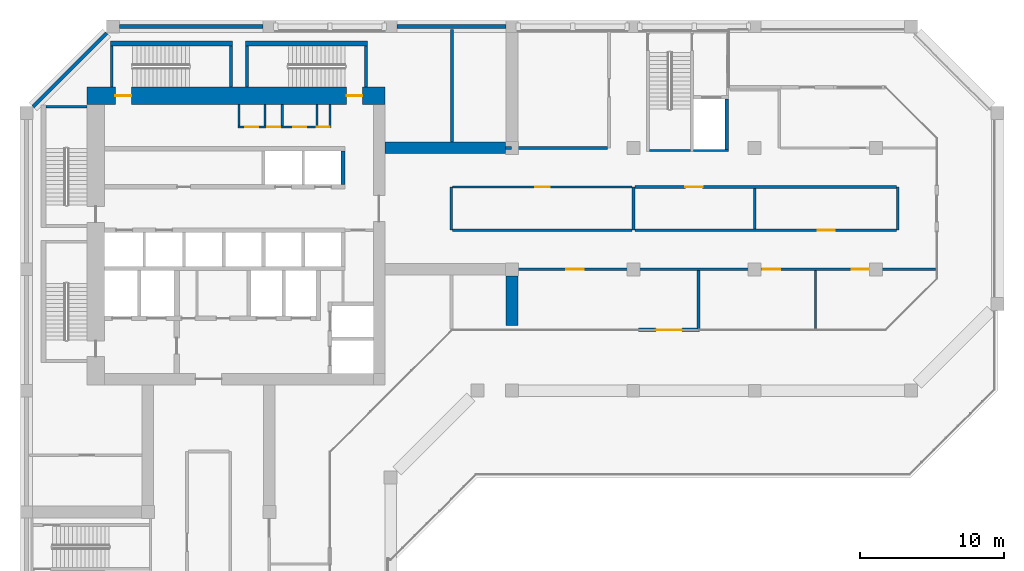
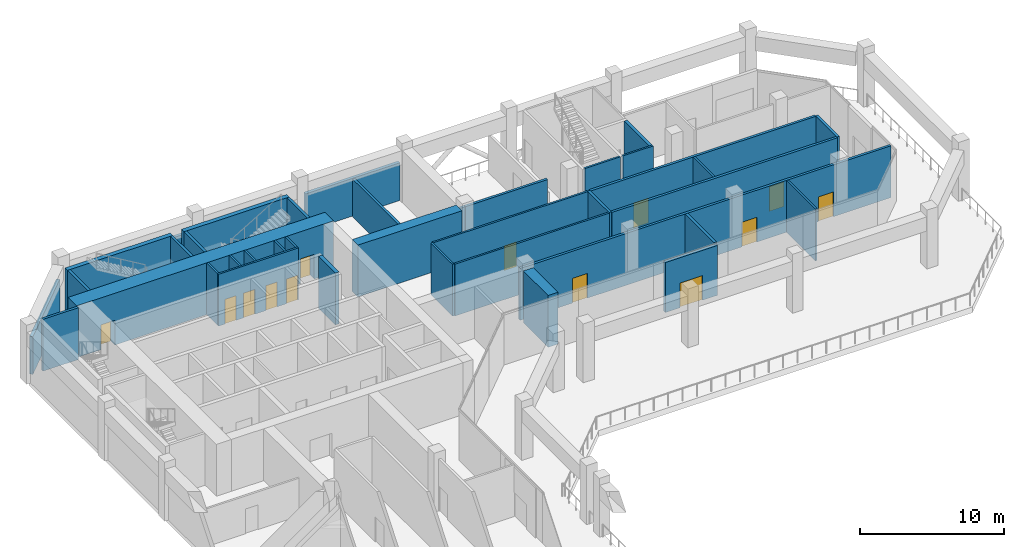
# One storey, part 7 of 14: 38 walls, 13 doors, 13 openings.
"""IFC4 building model written with IfcOpenShell, lengths in metres."""

from ifc_helpers import new_model, si_unit, direction, frame, frame_2d, origin, place, context, subcontext, project, spatial, rectangle, extrude, material, layer, layer_set, type_object, element, fill, save


model = new_model("IFC4")

# Units and contexts
model_context = context("Model", 3, precision=1e-05, world=origin(), true_north=direction((0.0, 1.0)))
body_context = subcontext(model_context, "Body", "Model", "MODEL_VIEW")
ifc_project = project(units=[si_unit("LENGTHUNIT", "METRE"), si_unit("AREAUNIT", "SQUARE_METRE"), si_unit("VOLUMEUNIT", "CUBIC_METRE"), si_unit("PLANEANGLEUNIT", "RADIAN"), si_unit("MASSUNIT", "GRAM", prefix="KILO")], contexts=[model_context])

# Site, building, storey
site_placement = place(None, origin())
site = spatial("IfcSite", under=ifc_project, at=site_placement, CompositionType="ELEMENT")
building_placement = place(site_placement, origin())
building = spatial("IfcBuilding", under=site, at=building_placement, Name="Kawkab Arch Medical Tower", CompositionType="ELEMENT")
storey_placement = place(building_placement, frame((0.0, 0.0, 213.0)))
storey = spatial("IfcBuildingStorey", under=building, at=storey_placement, Name="L49", CompositionType="ELEMENT", Elevation=213.0)

# Walls
ifc_material_1 = material(Name="Concrete C45/55", Category="concrete")
ifc_layer_1 = layer(ifc_material_1, 0.800048828125)
ifc_layer_set_1 = layer_set([ifc_layer_1], Name="Concrete C45/55")
wall_type_1 = type_object("IfcWallType", Name="Belt wall 800 C45/55", PredefinedType="SHEAR", material=ifc_layer_set_1)
wall_1_placement = place(storey_placement, frame((24.800048828125, -8.39990234375, 0.0), z_axis=(0.0, 0.0, 1.0), x_axis=(1.0, 0.0, 0.0)))
element("IfcWall", 1, at=wall_1_placement, inside=storey, type_object=wall_type_1, Name="Belt wall BW-L49-1", PredefinedType="SHEAR", context=body_context, shape_type="SweptSolid", body=[
    extrude(rectangle(XDim=8.349853515625, YDim=0.800048828125, at=frame_2d((4.1748046875, 0.0))), origin(), (0.0, 0.0, 1.0), 4.39990234375),
])
wall_2_placement = place(storey_placement, frame((33.60009765625, -17.25, 0.0), z_axis=(0.0, 0.0, 1.0), x_axis=(0.0, -1.0, 0.0)))
element("IfcWall", 2, at=wall_2_placement, inside=storey, type_object=wall_type_1, Name="Belt wall BW-L49-4", PredefinedType="SHEAR", context=body_context, shape_type="SweptSolid", body=[
    extrude(rectangle(XDim=3.449951171875, YDim=0.800048828125, at=frame_2d((1.72509765625, 0.0))), origin(), (0.0, 0.0, 1.0), 4.39990234375),
])

# Wall, openings, doors
ifc_material_2 = material(Name="Concrete C50/60", Category="concrete")
ifc_layer_2 = layer(ifc_material_2, 1.199951171875)
ifc_layer_set_2 = layer_set([ifc_layer_2], Name="Concrete C50/60")
wall_type_2 = type_object("IfcWallType", Name="Core ring wall 1200 C50/60", PredefinedType="SHEAR", material=ifc_layer_set_2)
wall_3_placement = place(storey_placement, frame((4.199951171875, -4.800048828125, 0.0), z_axis=(0.0, 0.0, 1.0), x_axis=(1.0, 0.0, 0.0)))
wall_3 = element("IfcWall", 3, at=wall_3_placement, inside=storey, type_object=wall_type_2, Name="L49 core wall", PredefinedType="SHEAR", context=body_context, shape_type="SweptSolid", body=[
    extrude(rectangle(XDim=20.60009765625, YDim=1.199951171875, at=frame_2d((10.300048828125, 0.0))), origin(), (0.0, 0.0, 1.0), 4.39990234375),
])
opening_1_placement = place(wall_3_placement, frame((1.949951171875, 0.0, 0.0)))
opening_1 = element("IfcOpeningElement", 4, at=opening_1_placement, cuts=wall_3, Name="Opening SD", PredefinedType="OPENING", context=body_context, shape_type="SweptSolid", body=[
    extrude(rectangle(XDim=1.10009765625, YDim=2.10009765625, at=frame_2d((0.550048828125, 1.050048828125))), frame((0.0, 0.60986328125, 0.0), z_axis=(0.0, -1.0, 0.0), x_axis=(1.0, 0.0, 0.0)), (0.0, 0.0, 1.0), 1.219970703125),
])
opening_2_placement = place(wall_3_placement, frame((17.949951171875, 0.0, 0.0)))
opening_2 = element("IfcOpeningElement", 5, at=opening_2_placement, cuts=wall_3, Name="Opening SD", PredefinedType="OPENING", context=body_context, shape_type="SweptSolid", body=[
    extrude(rectangle(XDim=1.10009765625, YDim=2.10009765625, at=frame_2d((0.550048828125, 1.050048828125))), frame((0.0, 0.60986328125, 0.0), z_axis=(0.0, -1.0, 0.0), x_axis=(1.0, 0.0, 0.0)), (0.0, 0.0, 1.0), 1.219970703125),
])
ifc_material_3 = material(Name="Hollow metal fire door leaf")
door_type_1 = type_object("IfcDoorType", Name="Exit stair door 1100", OperationType="SINGLE_SWING_LEFT", PredefinedType="DOOR", material=ifc_material_3)
door_1_placement = place(opening_1_placement, origin())
door_1 = element("IfcDoor", 6, at=door_1_placement, inside=storey, type_object=door_type_1, Name="L49 Exit stair ST3 door", OperationType="SINGLE_SWING_LEFT", OverallHeight=2.10009765625, OverallWidth=1.10009765625, PredefinedType="DOOR", context=body_context, shape_type="SweptSolid", body=[
    extrude(rectangle(XDim=1.10009765625, YDim=2.10009765625, at=frame_2d((0.550048828125, 1.050048828125))), frame((0.0, 0.02490234375, 0.0), z_axis=(0.0, -1.0, 0.0), x_axis=(1.0, 0.0, 0.0)), (0.0, 0.0, 1.0), 0.050048828125),
])
fill(opening_1, door_1)
door_2_placement = place(opening_2_placement, origin())
door_2 = element("IfcDoor", 7, at=door_2_placement, inside=storey, type_object=door_type_1, Name="L49 Exit stair ST4 door", OperationType="SINGLE_SWING_LEFT", OverallHeight=2.10009765625, OverallWidth=1.10009765625, PredefinedType="DOOR", context=body_context, shape_type="SweptSolid", body=[
    extrude(rectangle(XDim=1.10009765625, YDim=2.10009765625, at=frame_2d((0.550048828125, 1.050048828125))), frame((0.0, 0.02490234375, 0.0), z_axis=(0.0, -1.0, 0.0), x_axis=(1.0, 0.0, 0.0)), (0.0, 0.0, 1.0), 0.050048828125),
])
fill(opening_2, door_2)

ifc_material_4 = material(Name="Gypsum board on steel studs", Category="steel")
ifc_layer_3 = layer(ifc_material_4, 0.14990234375)
ifc_layer_set_3 = layer_set([ifc_layer_3], Name="Gypsum board on steel studs")
wall_type_3 = type_object("IfcWallType", Name="Core room partition 150", PredefinedType="PARTITIONING", material=ifc_layer_set_3)
wall_4_placement = place(storey_placement, frame((14.625, -6.949951171875, 0.0), z_axis=(0.0, 0.0, 1.0), x_axis=(1.0, 0.0, 0.0)))
wall_4 = element("IfcWall", 8, at=wall_4_placement, inside=storey, type_object=wall_type_3, Name="L49 core room partition", PredefinedType="PARTITIONING", context=body_context, shape_type="SweptSolid", body=[
    extrude(rectangle(XDim=6.449951171875, YDim=0.14990234375, at=frame_2d((3.22509765625, 0.0))), origin(), (0.0, 0.0, 1.0), 4.39990234375),
])
opening_3_placement = place(wall_4_placement, frame((0.52490234375, 0.0, 0.0)))
opening_3 = element("IfcOpeningElement", 9, at=opening_3_placement, cuts=wall_4, Name="Opening RD", PredefinedType="OPENING", context=body_context, shape_type="SweptSolid", body=[
    extrude(rectangle(XDim=0.89990234375, YDim=2.10009765625, at=frame_2d((0.449951171875, 1.050048828125))), frame((0.0, 0.0849609375, 0.0), z_axis=(0.0, -1.0, 0.0), x_axis=(1.0, 0.0, 0.0)), (0.0, 0.0, 1.0), 0.169921875),
])
opening_4_placement = place(wall_4_placement, frame((2.02490234375, 0.0, 0.0)))
opening_4 = element("IfcOpeningElement", 10, at=opening_4_placement, cuts=wall_4, Name="Opening RD", PredefinedType="OPENING", context=body_context, shape_type="SweptSolid", body=[
    extrude(rectangle(XDim=0.89990234375, YDim=2.10009765625, at=frame_2d((0.449951171875, 1.050048828125))), frame((0.0, 0.0849609375, 0.0), z_axis=(0.0, -1.0, 0.0), x_axis=(1.0, 0.0, 0.0)), (0.0, 0.0, 1.0), 0.169921875),
])
opening_5_placement = place(wall_4_placement, frame((3.824951171875, 0.0, 0.0)))
opening_5 = element("IfcOpeningElement", 11, at=opening_5_placement, cuts=wall_4, Name="Opening RD", PredefinedType="OPENING", context=body_context, shape_type="SweptSolid", body=[
    extrude(rectangle(XDim=0.89990234375, YDim=2.10009765625, at=frame_2d((0.449951171875, 1.050048828125))), frame((0.0, 0.0849609375, 0.0), z_axis=(0.0, -1.0, 0.0), x_axis=(1.0, 0.0, 0.0)), (0.0, 0.0, 1.0), 0.169921875),
])
opening_6_placement = place(wall_4_placement, frame((5.47509765625, 0.0, 0.0)))
opening_6 = element("IfcOpeningElement", 12, at=opening_6_placement, cuts=wall_4, Name="Opening RD", PredefinedType="OPENING", context=body_context, shape_type="SweptSolid", body=[
    extrude(rectangle(XDim=0.89990234375, YDim=2.10009765625, at=frame_2d((0.449951171875, 1.050048828125))), frame((0.0, 0.0849609375, 0.0), z_axis=(0.0, -1.0, 0.0), x_axis=(1.0, 0.0, 0.0)), (0.0, 0.0, 1.0), 0.169921875),
])
ifc_material_5 = material(Name="Hollow metal fire door leaf")
door_type_2 = type_object("IfcDoorType", Name="Core room door 900", OperationType="SINGLE_SWING_LEFT", PredefinedType="DOOR", material=ifc_material_5)
door_3_placement = place(opening_3_placement, origin())
door_3 = element("IfcDoor", 13, at=door_3_placement, inside=storey, type_object=door_type_2, Name="L49 Data room door", OperationType="SINGLE_SWING_LEFT", OverallHeight=2.10009765625, OverallWidth=0.89990234375, PredefinedType="DOOR", context=body_context, shape_type="SweptSolid", body=[
    extrude(rectangle(XDim=0.89990234375, YDim=2.10009765625, at=frame_2d((0.449951171875, 1.050048828125))), frame((0.0, 0.02490234375, 0.0), z_axis=(0.0, -1.0, 0.0), x_axis=(1.0, 0.0, 0.0)), (0.0, 0.0, 1.0), 0.050048828125),
])
fill(opening_3, door_3)
door_4_placement = place(opening_4_placement, origin())
door_4 = element("IfcDoor", 14, at=door_4_placement, inside=storey, type_object=door_type_2, Name="L49 Electrical riser room door", OperationType="SINGLE_SWING_LEFT", OverallHeight=2.10009765625, OverallWidth=0.89990234375, PredefinedType="DOOR", context=body_context, shape_type="SweptSolid", body=[
    extrude(rectangle(XDim=0.89990234375, YDim=2.10009765625, at=frame_2d((0.449951171875, 1.050048828125))), frame((0.0, 0.02490234375, 0.0), z_axis=(0.0, -1.0, 0.0), x_axis=(1.0, 0.0, 0.0)), (0.0, 0.0, 1.0), 0.050048828125),
])
fill(opening_4, door_4)
door_5_placement = place(opening_5_placement, origin())
door_5 = element("IfcDoor", 15, at=door_5_placement, inside=storey, type_object=door_type_2, Name="L49 Equipment store door", OperationType="SINGLE_SWING_LEFT", OverallHeight=2.10009765625, OverallWidth=0.89990234375, PredefinedType="DOOR", context=body_context, shape_type="SweptSolid", body=[
    extrude(rectangle(XDim=0.89990234375, YDim=2.10009765625, at=frame_2d((0.449951171875, 1.050048828125))), frame((0.0, 0.02490234375, 0.0), z_axis=(0.0, -1.0, 0.0), x_axis=(1.0, 0.0, 0.0)), (0.0, 0.0, 1.0), 0.050048828125),
])
fill(opening_5, door_5)
door_6_placement = place(opening_6_placement, origin())
door_6 = element("IfcDoor", 16, at=door_6_placement, inside=storey, type_object=door_type_2, Name="L49 General store door", OperationType="SINGLE_SWING_LEFT", OverallHeight=2.10009765625, OverallWidth=0.89990234375, PredefinedType="DOOR", context=body_context, shape_type="SweptSolid", body=[
    extrude(rectangle(XDim=0.89990234375, YDim=2.10009765625, at=frame_2d((0.449951171875, 1.050048828125))), frame((0.0, 0.02490234375, 0.0), z_axis=(0.0, -1.0, 0.0), x_axis=(1.0, 0.0, 0.0)), (0.0, 0.0, 1.0), 0.050048828125),
])
fill(opening_6, door_6)

# Walls
for number, where, z_axis, x_axis, name in (
    (17, (14.699951171875, -6.875, 0.0), (0.0, 0.0, 1.0), (0.0, 1.0, 0.0), "L49 core room partition"),
    (18, (16.5, -6.875, 0.0), (0.0, 0.0, 1.0), (0.0, 1.0, 0.0), "L49 core room partition"),
    (19, (17.699951171875, -6.875, 0.0), (0.0, 0.0, 1.0), (0.0, 1.0, 0.0), "L49 core room partition"),
    (20, (20.10009765625, -6.875, 0.0), (0.0, 0.0, 1.0), (0.0, 1.0, 0.0), "L49 core room partition"),
    (21, (21.0, -6.875, 0.0), (0.0, 0.0, 1.0), (0.0, 1.0, 0.0), "L49 core room partition"),
):
    element("IfcWall", number, at=place(storey_placement, frame(where, z_axis=z_axis, x_axis=x_axis)), inside=storey, type_object=wall_type_3, Name=name, PredefinedType="PARTITIONING", context=body_context, shape_type="SweptSolid", body=[
        extrude(rectangle(XDim=1.47509765625, YDim=0.14990234375, at=frame_2d((0.737548828125, 0.0))), origin(), (0.0, 0.0, 1.0), 4.39990234375),
    ])
ifc_material_6 = material(Name="Concrete C60/75", Category="concrete")
ifc_layer_4 = layer(ifc_material_6, 0.25)
ifc_layer_set_4 = layer_set([ifc_layer_4], Name="Concrete C60/75")
wall_type_4 = type_object("IfcWallType", Name="Core shear wall 250 C60/75", PredefinedType="SHEAR", material=ifc_layer_set_4)
wall_5_placement = place(storey_placement, frame((48.47509765625, -8.5, 0.0), z_axis=(0.0, 0.0, 1.0), x_axis=(0.0, 1.0, 0.0)))
element("IfcWall", 22, at=wall_5_placement, inside=storey, type_object=wall_type_4, Name="L49 core shear wall", PredefinedType="SHEAR", context=body_context, shape_type="SweptSolid", body=[
    extrude(rectangle(XDim=3.47509765625, YDim=0.25, at=frame_2d((1.737548828125, 0.0))), origin(), (0.0, 0.0, 1.0), 4.39990234375),
])
ifc_material_7 = material(Name="Concrete C60/75", Category="concrete")
ifc_layer_5 = layer(ifc_material_7, 0.300048828125)
ifc_layer_set_5 = layer_set([ifc_layer_5], Name="Concrete C60/75")
wall_type_5 = type_object("IfcWallType", Name="Core shear wall 300 C60/75", PredefinedType="SHEAR", material=ifc_layer_set_5)
wall_6_placement = place(storey_placement, frame((21.89990234375, -10.949951171875, 0.0), z_axis=(0.0, 0.0, 1.0), x_axis=(0.0, 1.0, 0.0)))
element("IfcWall", 23, at=wall_6_placement, inside=storey, type_object=wall_type_5, Name="L49 core shear wall", PredefinedType="SHEAR", context=body_context, shape_type="SweptSolid", body=[
    extrude(rectangle(XDim=2.349853515625, YDim=0.300048828125, at=frame_2d((1.1748046875, 0.0))), origin(), (0.0, 0.0, 1.0), 4.39990234375),
])
ifc_material_8 = material(Name="Bronze clad insulated wall panel")
ifc_layer_6 = layer(ifc_material_8, 0.25)
ifc_layer_set_6 = layer_set([ifc_layer_6], Name="Bronze clad insulated wall panel")
wall_type_6 = type_object("IfcWallType", Name="External wall bay 250", PredefinedType="SOLIDWALL", material=ifc_layer_set_6)
wall_7_placement = place(storey_placement, frame((5.550048828125, -0.449951171875, 0.0), z_axis=(0.0, 0.0, 1.0), x_axis=(-0.707106781187, -0.707106781187, 0.0)))
element("IfcWall", 24, at=wall_7_placement, inside=storey, type_object=wall_type_6, Name="Plant wall L49.R01.1", PredefinedType="SOLIDWALL", context=body_context, shape_type="SweptSolid", body=[
    extrude(rectangle(XDim=7.212646484375, YDim=0.25, at=frame_2d((3.6064453125, 0.0))), origin(), (0.0, 0.0, 1.0), 3.199951171875),
])

# Wall, opening, door
wall_8_placement = place(storey_placement, frame((42.360107421875, -21.0, 0.0), z_axis=(0.0, 0.0, 1.0), x_axis=(1.0, 0.0, 0.0)))
wall_8 = element("IfcWall", 25, at=wall_8_placement, inside=storey, type_object=wall_type_6, Name="External wall bay L49.R11.3.2", PredefinedType="SOLIDWALL", context=body_context, shape_type="SweptSolid", body=[
    extrude(rectangle(XDim=4.199951171875, YDim=0.25, at=frame_2d((2.10009765625, 0.0))), origin(), (0.0, 0.0, 1.0), 4.239990234375),
])
opening_7_placement = place(wall_8_placement, frame((1.199951171875, 0.0, 0.0)))
opening_7 = element("IfcOpeningElement", 26, at=opening_7_placement, cuts=wall_8, Name="Opening PL2B-702", PredefinedType="OPENING", context=body_context, shape_type="SweptSolid", body=[
    extrude(rectangle(XDim=1.800048828125, YDim=2.10009765625, at=frame_2d((0.89990234375, 1.050048828125))), frame((0.0, 0.135009765625, 0.0), z_axis=(0.0, -1.0, 0.0), x_axis=(1.0, 0.0, 0.0)), (0.0, 0.0, 1.0), 0.27001953125),
])
ifc_material_9 = material(Name="Bronze anodised aluminium door with tinted glass", Category="aluminium")
door_type_3 = type_object("IfcDoorType", Name="Double external door 1800 x 2100", OperationType="DOUBLE_DOOR_SINGLE_SWING", PredefinedType="DOOR", material=ifc_material_9)
door_7_placement = place(opening_7_placement, origin())
door_7 = element("IfcDoor", 27, at=door_7_placement, inside=storey, type_object=door_type_3, Name="External door L49.R11.3.2", OperationType="DOUBLE_DOOR_SINGLE_SWING", OverallHeight=2.10009765625, OverallWidth=1.800048828125, PredefinedType="DOOR", context=body_context, shape_type="SweptSolid", body=[
    extrude(rectangle(XDim=1.800048828125, YDim=2.10009765625, at=frame_2d((0.89990234375, 1.050048828125))), frame((0.0, 0.02490234375, 0.0), z_axis=(0.0, -1.0, 0.0), x_axis=(1.0, 0.0, 0.0)), (0.0, 0.0, 1.0), 0.050048828125),
])
fill(opening_7, door_7)

# Walls
wall_9_placement = place(storey_placement, frame((33.175048828125, 0.0, 0.0), z_axis=(0.0, 0.0, 1.0), x_axis=(-1.0, 0.0, 0.0)))
element("IfcWall", 28, at=wall_9_placement, inside=storey, type_object=wall_type_6, Name="Plant wall L49.R18.3", PredefinedType="SOLIDWALL", context=body_context, shape_type="SweptSolid", body=[
    extrude(rectangle(XDim=7.550048828125, YDim=0.25, at=frame_2d((3.77490234375, 0.0))), origin(), (0.0, 0.0, 1.0), 3.199951171875),
])
wall_10_placement = place(storey_placement, frame((16.375, 0.0, 0.0), z_axis=(0.0, 0.0, 1.0), x_axis=(-1.0, 0.0, 0.0)))
element("IfcWall", 29, at=wall_10_placement, inside=storey, type_object=wall_type_6, Name="Plant wall L49.R18.5", PredefinedType="SOLIDWALL", context=body_context, shape_type="SweptSolid", body=[
    extrude(rectangle(XDim=9.925048828125, YDim=0.25, at=frame_2d((4.96240234375, 0.0))), origin(), (0.0, 0.0, 1.0), 3.199951171875),
])
ifc_material_10 = material(Name="Gypsum board partition on steel studs, mineral wool", Category="steel")
ifc_layer_7 = layer(ifc_material_10, 0.14990234375)
ifc_layer_set_7 = layer_set([ifc_layer_7], Name="Gypsum board partition on steel studs, mineral wool")
wall_type_7 = type_object("IfcWallType", Name="Partition 150", PredefinedType="PARTITIONING", material=ifc_layer_set_7)
wall_11_placement = place(storey_placement, frame((29.47509765625, -14.10009765625, 0.0), z_axis=(0.0, 0.0, 1.0), x_axis=(1.0, 0.0, 0.0)))
element("IfcWall", 30, at=wall_11_placement, inside=storey, type_object=wall_type_7, Name="Partition 150 w005", PredefinedType="PARTITIONING", context=body_context, shape_type="SweptSolid", body=[
    extrude(rectangle(XDim=12.4248046875, YDim=0.14990234375, at=frame_2d((6.21240234375, 0.0))), origin(), (0.0, 0.0, 1.0), 4.39990234375),
])

# Wall, opening, door
wall_12_placement = place(storey_placement, frame((29.47802734375, -11.10009765625, 0.0), z_axis=(0.0, 0.0, 1.0), x_axis=(1.0, 0.0, 0.0)))
wall_12 = element("IfcWall", 31, at=wall_12_placement, inside=storey, type_object=wall_type_7, Name="Partition 150 w006", PredefinedType="PARTITIONING", context=body_context, shape_type="SweptSolid", body=[
    extrude(rectangle(XDim=12.421875, YDim=0.14990234375, at=frame_2d((6.2109375, 0.0))), origin(), (0.0, 0.0, 1.0), 4.39990234375),
])
opening_8_placement = place(wall_12_placement, frame((5.722900390625, 0.0, 0.0)))
opening_8 = element("IfcOpeningElement", 32, at=opening_8_placement, cuts=wall_12, Name="Opening PL2B-002", PredefinedType="OPENING", context=body_context, shape_type="SweptSolid", body=[
    extrude(rectangle(XDim=1.0, YDim=2.10009765625, at=frame_2d((0.5, 1.050048828125))), frame((0.0, 0.0849609375, 0.0), z_axis=(0.0, -1.0, 0.0), x_axis=(1.0, 0.0, 0.0)), (0.0, 0.0, 1.0), 0.169921875),
])
ifc_material_11 = material(Name="Hollow metal door leaf")
door_type_4 = type_object("IfcDoorType", Name="Single door 1000x2100 FD30S", OperationType="NOTDEFINED", PredefinedType="DOOR", material=ifc_material_11)
door_8_placement = place(opening_8_placement, origin())
door_8 = element("IfcDoor", 33, at=door_8_placement, inside=storey, type_object=door_type_4, Name="Door PL2B-002", OperationType="SINGLE_SWING_RIGHT", OverallHeight=2.10009765625, OverallWidth=1.0, PredefinedType="DOOR", context=body_context, shape_type="SweptSolid", body=[
    extrude(rectangle(XDim=1.0, YDim=2.10009765625, at=frame_2d((0.5, 1.050048828125))), frame((0.0, 0.02490234375, 0.0), z_axis=(0.0, -1.0, 0.0), x_axis=(1.0, 0.0, 0.0)), (0.0, 0.0, 1.0), 0.050048828125),
])
fill(opening_8, door_8)

# Walls
wall_13_placement = place(storey_placement, frame((29.39990234375, -14.10009765625, 0.0), z_axis=(0.0, 0.0, 1.0), x_axis=(0.0, 1.0, 0.0)))
element("IfcWall", 34, at=wall_13_placement, inside=storey, type_object=wall_type_7, Name="Partition 150 w011", PredefinedType="PARTITIONING", context=body_context, shape_type="SweptSolid", body=[
    extrude(rectangle(XDim=2.9970703125, YDim=0.14990234375, at=frame_2d((1.49853515625, 0.0))), origin(), (0.0, 0.0, 1.0), 4.39990234375),
])
wall_14_placement = place(storey_placement, frame((50.39990234375, -14.0, 0.0), z_axis=(0.0, 0.0, 1.0), x_axis=(0.0, 1.0, 0.0)))
element("IfcWall", 35, at=wall_14_placement, inside=storey, type_object=wall_type_7, Name="Partition 150 w012", PredefinedType="PARTITIONING", context=body_context, shape_type="SweptSolid", body=[
    extrude(rectangle(XDim=2.800048828125, YDim=0.14990234375, at=frame_2d((1.39990234375, 0.0))), origin(), (0.0, 0.0, 1.0), 4.39990234375),
])
wall_15_placement = place(storey_placement, frame((54.60009765625, -20.919921875, 0.0), z_axis=(0.0, 0.0, 1.0), x_axis=(0.0, 1.0, 0.0)))
element("IfcWall", 36, at=wall_15_placement, inside=storey, type_object=wall_type_7, Name="Partition 150 w014", PredefinedType="PARTITIONING", context=body_context, shape_type="SweptSolid", body=[
    extrude(rectangle(XDim=4.02001953125, YDim=0.14990234375, at=frame_2d((2.010009765625, 0.0))), origin(), (0.0, 0.0, 1.0), 4.39990234375),
])

# Wall, openings, doors
ifc_material_12 = material(Name="Fire-rated gypsum board partition on steel studs", Category="steel")
ifc_layer_8 = layer(ifc_material_12, 0.199951171875)
ifc_layer_set_8 = layer_set([ifc_layer_8], Name="Fire-rated gypsum board partition on steel studs")
wall_type_8 = type_object("IfcWallType", Name="Protected partition 200", PredefinedType="PARTITIONING", material=ifc_layer_set_8)
wall_16_placement = place(storey_placement, frame((33.14990234375, -16.800048828125, 0.0), z_axis=(0.0, 0.0, 1.0), x_axis=(1.0, 0.0, 0.0)))
wall_16 = element("IfcWall", 37, at=wall_16_placement, inside=storey, type_object=wall_type_8, Name="Protected partition 200 w017", PredefinedType="PARTITIONING", context=body_context, shape_type="SweptSolid", body=[
    extrude(rectangle(XDim=29.77099609375, YDim=0.199951171875, at=frame_2d((14.885498046875, 0.0))), origin(), (0.0, 0.0, 1.0), 4.39990234375),
])
opening_9_placement = place(wall_16_placement, frame((4.199951171875, 0.0, 0.0)))
opening_9 = element("IfcOpeningElement", 38, at=opening_9_placement, cuts=wall_16, Name="Opening PL2B-014", PredefinedType="OPENING", context=body_context, shape_type="SweptSolid", body=[
    extrude(rectangle(XDim=1.199951171875, YDim=2.10009765625, at=frame_2d((0.60009765625, 1.050048828125))), frame((0.0, 0.10986328125, 0.0), z_axis=(0.0, -1.0, 0.0), x_axis=(1.0, 0.0, 0.0)), (0.0, 0.0, 1.0), 0.219970703125),
])
opening_10_placement = place(wall_16_placement, frame((17.800048828125, 0.0, 0.0)))
opening_10 = element("IfcOpeningElement", 39, at=opening_10_placement, cuts=wall_16, Name="Opening PL2B-008", PredefinedType="OPENING", context=body_context, shape_type="SweptSolid", body=[
    extrude(rectangle(XDim=1.199951171875, YDim=2.10009765625, at=frame_2d((0.60009765625, 1.050048828125))), frame((0.0, 0.10986328125, 0.0), z_axis=(0.0, -1.0, 0.0), x_axis=(1.0, 0.0, 0.0)), (0.0, 0.0, 1.0), 0.219970703125),
])
opening_11_placement = place(wall_16_placement, frame((23.949951171875, 0.0, 0.0)))
opening_11 = element("IfcOpeningElement", 40, at=opening_11_placement, cuts=wall_16, Name="Opening PL2B-009", PredefinedType="OPENING", context=body_context, shape_type="SweptSolid", body=[
    extrude(rectangle(XDim=1.199951171875, YDim=2.10009765625, at=frame_2d((0.60009765625, 1.050048828125))), frame((0.0, 0.10986328125, 0.0), z_axis=(0.0, -1.0, 0.0), x_axis=(1.0, 0.0, 0.0)), (0.0, 0.0, 1.0), 0.219970703125),
])
ifc_material_13 = material(Name="Hollow metal door leaf")
door_type_5 = type_object("IfcDoorType", Name="Single door 1200x2100 FD60", OperationType="NOTDEFINED", PredefinedType="DOOR", material=ifc_material_13)
door_9_placement = place(opening_10_placement, origin())
door_9 = element("IfcDoor", 41, at=door_9_placement, inside=storey, type_object=door_type_5, Name="Door PL2B-008", OperationType="SINGLE_SWING_LEFT", OverallHeight=2.10009765625, OverallWidth=1.199951171875, PredefinedType="DOOR", context=body_context, shape_type="SweptSolid", body=[
    extrude(rectangle(XDim=1.199951171875, YDim=2.10009765625, at=frame_2d((0.60009765625, 1.050048828125))), frame((0.0, 0.02490234375, 0.0), z_axis=(0.0, -1.0, 0.0), x_axis=(1.0, 0.0, 0.0)), (0.0, 0.0, 1.0), 0.050048828125),
])
fill(opening_10, door_9)
door_10_placement = place(opening_11_placement, origin())
door_10 = element("IfcDoor", 42, at=door_10_placement, inside=storey, type_object=door_type_5, Name="Door PL2B-009", OperationType="SINGLE_SWING_LEFT", OverallHeight=2.10009765625, OverallWidth=1.199951171875, PredefinedType="DOOR", context=body_context, shape_type="SweptSolid", body=[
    extrude(rectangle(XDim=1.199951171875, YDim=2.10009765625, at=frame_2d((0.60009765625, 1.050048828125))), frame((0.0, 0.02490234375, 0.0), z_axis=(0.0, -1.0, 0.0), x_axis=(1.0, 0.0, 0.0)), (0.0, 0.0, 1.0), 0.050048828125),
])
fill(opening_11, door_10)
ifc_material_14 = material(Name="Hollow metal door leaf")
door_type_6 = type_object("IfcDoorType", Name="Single door 1200x2100 FD90", OperationType="NOTDEFINED", PredefinedType="DOOR", material=ifc_material_14)
door_11_placement = place(opening_9_placement, origin())
door_11 = element("IfcDoor", 43, at=door_11_placement, inside=storey, type_object=door_type_6, Name="Door PL2B-014", OperationType="SINGLE_SWING_RIGHT", OverallHeight=2.10009765625, OverallWidth=1.199951171875, PredefinedType="DOOR", context=body_context, shape_type="SweptSolid", body=[
    extrude(rectangle(XDim=1.199951171875, YDim=2.10009765625, at=frame_2d((0.60009765625, 1.050048828125))), frame((0.0, 0.02490234375, 0.0), z_axis=(0.0, -1.0, 0.0), x_axis=(1.0, 0.0, 0.0)), (0.0, 0.0, 1.0), 0.050048828125),
])
fill(opening_9, door_11)

# Wall, opening, door
wall_17_placement = place(storey_placement, frame((42.10009765625, -14.10009765625, 0.0), z_axis=(0.0, 0.0, 1.0), x_axis=(1.0, 0.0, 0.0)))
wall_17 = element("IfcWall", 44, at=wall_17_placement, inside=storey, type_object=wall_type_8, Name="Protected partition 200 w018", PredefinedType="PARTITIONING", context=body_context, shape_type="SweptSolid", body=[
    extrude(rectangle(XDim=18.099853515625, YDim=0.199951171875, at=frame_2d((9.0498046875, 0.0))), origin(), (0.0, 0.0, 1.0), 4.39990234375),
])
opening_12_placement = place(wall_17_placement, frame((12.64990234375, 0.0, 0.0)))
opening_12 = element("IfcOpeningElement", 45, at=opening_12_placement, cuts=wall_17, Name="Opening PL2B-007", PredefinedType="OPENING", context=body_context, shape_type="SweptSolid", body=[
    extrude(rectangle(XDim=1.199951171875, YDim=2.10009765625, at=frame_2d((0.60009765625, 1.050048828125))), frame((0.0, 0.10986328125, 0.0), z_axis=(0.0, -1.0, 0.0), x_axis=(1.0, 0.0, 0.0)), (0.0, 0.0, 1.0), 0.219970703125),
])
door_12_placement = place(opening_12_placement, origin())
door_12 = element("IfcDoor", 46, at=door_12_placement, inside=storey, type_object=door_type_5, Name="Door PL2B-007", OperationType="SINGLE_SWING_RIGHT", OverallHeight=2.10009765625, OverallWidth=1.199951171875, PredefinedType="DOOR", context=body_context, shape_type="SweptSolid", body=[
    extrude(rectangle(XDim=1.199951171875, YDim=2.10009765625, at=frame_2d((0.60009765625, 1.050048828125))), frame((0.0, 0.02490234375, 0.0), z_axis=(0.0, -1.0, 0.0), x_axis=(1.0, 0.0, 0.0)), (0.0, 0.0, 1.0), 0.050048828125),
])
fill(opening_12, door_12)

wall_18_placement = place(storey_placement, frame((42.10009765625, -11.10009765625, 0.0), z_axis=(0.0, 0.0, 1.0), x_axis=(1.0, 0.0, 0.0)))
wall_18 = element("IfcWall", 47, at=wall_18_placement, inside=storey, type_object=wall_type_8, Name="Protected partition 200 w019", PredefinedType="PARTITIONING", context=body_context, shape_type="SweptSolid", body=[
    extrude(rectangle(XDim=18.096923828125, YDim=0.199951171875, at=frame_2d((9.04833984375, 0.0))), origin(), (0.0, 0.0, 1.0), 4.39990234375),
])
opening_13_placement = place(wall_18_placement, frame((3.5, 0.0, 0.0)))
opening_13 = element("IfcOpeningElement", 48, at=opening_13_placement, cuts=wall_18, Name="Opening PL2B-006", PredefinedType="OPENING", context=body_context, shape_type="SweptSolid", body=[
    extrude(rectangle(XDim=1.199951171875, YDim=2.10009765625, at=frame_2d((0.60009765625, 1.050048828125))), frame((0.0, 0.10986328125, 0.0), z_axis=(0.0, -1.0, 0.0), x_axis=(1.0, 0.0, 0.0)), (0.0, 0.0, 1.0), 0.219970703125),
])
door_13_placement = place(opening_13_placement, origin())
door_13 = element("IfcDoor", 49, at=door_13_placement, inside=storey, type_object=door_type_5, Name="Door PL2B-006", OperationType="SINGLE_SWING_RIGHT", OverallHeight=2.10009765625, OverallWidth=1.199951171875, PredefinedType="DOOR", context=body_context, shape_type="SweptSolid", body=[
    extrude(rectangle(XDim=1.199951171875, YDim=2.10009765625, at=frame_2d((0.60009765625, 1.050048828125))), frame((0.0, 0.02490234375, 0.0), z_axis=(0.0, -1.0, 0.0), x_axis=(1.0, 0.0, 0.0)), (0.0, 0.0, 1.0), 0.050048828125),
])
fill(opening_13, door_13)

# Walls
wall_19_placement = place(storey_placement, frame((33.14990234375, -8.39990234375, 0.0), z_axis=(0.0, 0.0, 1.0), x_axis=(1.0, 0.0, 0.0)))
element("IfcWall", 50, at=wall_19_placement, inside=storey, type_object=wall_type_8, Name="Protected partition 200 w020", PredefinedType="PARTITIONING", context=body_context, shape_type="SweptSolid", body=[
    extrude(rectangle(XDim=0.43017578125, YDim=0.199951171875, at=frame_2d((0.215087890625, 0.0))), origin(), (0.0, 0.0, 1.0), 4.39990234375),
])
wall_20_placement = place(storey_placement, frame((33.60009765625, -8.39990234375, 0.0), z_axis=(0.0, 0.0, 1.0), x_axis=(1.0, 0.0, 0.0)))
element("IfcWall", 51, at=wall_20_placement, inside=storey, type_object=wall_type_8, Name="Protected partition 200 w021", PredefinedType="PARTITIONING", context=body_context, shape_type="SweptSolid", body=[
    extrude(rectangle(XDim=6.60498046875, YDim=0.199951171875, at=frame_2d((3.302490234375, 0.0))), origin(), (0.0, 0.0, 1.0), 4.39990234375),
])
wall_21_placement = place(storey_placement, frame((29.43994140625, -8.0009765625, 0.0), z_axis=(0.0, 0.0, 1.0), x_axis=(0.0, 1.0, 0.0)))
element("IfcWall", 52, at=wall_21_placement, inside=storey, type_object=wall_type_8, Name="Protected partition 200 w026", PredefinedType="PARTITIONING", context=body_context, shape_type="SweptSolid", body=[
    extrude(rectangle(XDim=7.801025390625, YDim=0.199951171875, at=frame_2d((3.900390625, 0.0))), origin(), (0.0, 0.0, 1.0), 3.199951171875),
])
wall_22_placement = place(storey_placement, frame((42.0, -14.10009765625, 0.0), z_axis=(0.0, 0.0, 1.0), x_axis=(0.0, 1.0, 0.0)))
element("IfcWall", 53, at=wall_22_placement, inside=storey, type_object=wall_type_8, Name="Protected partition 200 w028", PredefinedType="PARTITIONING", context=body_context, shape_type="SweptSolid", body=[
    extrude(rectangle(XDim=3.0, YDim=0.199951171875, at=frame_2d((1.5, 0.0))), origin(), (0.0, 0.0, 1.0), 4.39990234375),
])
wall_23_placement = place(storey_placement, frame((46.5, -20.919921875, 0.0), z_axis=(0.0, 0.0, 1.0), x_axis=(0.0, 1.0, 0.0)))
element("IfcWall", 54, at=wall_23_placement, inside=storey, type_object=wall_type_8, Name="Protected partition 200 w029", PredefinedType="PARTITIONING", context=body_context, shape_type="SweptSolid", body=[
    extrude(rectangle(XDim=4.02001953125, YDim=0.199951171875, at=frame_2d((2.010009765625, 0.0))), origin(), (0.0, 0.0, 1.0), 4.39990234375),
])
wall_24_placement = place(storey_placement, frame((60.300048828125, -14.10009765625, 0.0), z_axis=(0.0, 0.0, 1.0), x_axis=(0.0, 1.0, 0.0)))
element("IfcWall", 55, at=wall_24_placement, inside=storey, type_object=wall_type_8, Name="Protected partition 200 w030", PredefinedType="PARTITIONING", context=body_context, shape_type="SweptSolid", body=[
    extrude(rectangle(XDim=2.9970703125, YDim=0.199951171875, at=frame_2d((1.49853515625, 0.0))), origin(), (0.0, 0.0, 1.0), 4.39990234375),
])
ifc_material_15 = material(Name="Concrete C50/60", Category="concrete")
ifc_layer_9 = layer(ifc_material_15, 0.14990234375)
ifc_layer_set_9 = layer_set([ifc_layer_9], Name="Concrete C50/60")
wall_type_9 = type_object("IfcWallType", Name="Stair enclosure wall 150 C50/60", PredefinedType="SHEAR", material=ifc_layer_set_9)
wall_25_placement = place(storey_placement, frame((43.10009765625, -8.574951171875, 0.0), z_axis=(0.0, 0.0, 1.0), x_axis=(1.0, 0.0, 0.0)))
element("IfcWall", 56, at=wall_25_placement, inside=storey, type_object=wall_type_9, Name="L49 stair enclosure wall", PredefinedType="SHEAR", context=body_context, shape_type="SweptSolid", body=[
    extrude(rectangle(XDim=2.849853515625, YDim=0.14990234375, at=frame_2d((1.4248046875, 0.0))), origin(), (0.0, 0.0, 1.0), 4.39990234375),
])
wall_26_placement = place(storey_placement, frame((46.14990234375, -8.574951171875, 0.0), z_axis=(0.0, 0.0, 1.0), x_axis=(1.0, 0.0, 0.0)))
element("IfcWall", 57, at=wall_26_placement, inside=storey, type_object=wall_type_9, Name="L49 stair enclosure wall", PredefinedType="SHEAR", context=body_context, shape_type="SweptSolid", body=[
    extrude(rectangle(XDim=2.4501953125, YDim=0.14990234375, at=frame_2d((1.22509765625, 0.0))), origin(), (0.0, 0.0, 1.0), 4.39990234375),
])
ifc_material_16 = material(Name="Concrete C50/60", Category="concrete")
ifc_layer_10 = layer(ifc_material_16, 0.199951171875)
ifc_layer_set_10 = layer_set([ifc_layer_10], Name="Concrete C50/60")
wall_type_10 = type_object("IfcWallType", Name="Stair enclosure wall 200 C50/60", PredefinedType="SHEAR", material=ifc_layer_set_10)
for number, where, z_axis, x_axis, name in (
    (58, (1.35009765625, -5.550048828125, 0.0), (0.0, 0.0, 1.0), (1.0, 0.0, 0.0), "L49 stair enclosure wall"),
    (59, (5.89990234375, -4.199951171875, 0.0), (0.0, 0.0, 1.0), (0.0, 1.0, 0.0), "L49 stair enclosure wall"),
    (60, (14.14990234375, -4.199951171875, 0.0), (0.0, 0.0, 1.0), (0.0, 1.0, 0.0), "L49 stair enclosure wall"),
    (61, (15.25, -4.199951171875, 0.0), (0.0, 0.0, 1.0), (0.0, 1.0, 0.0), "L49 stair enclosure wall"),
    (62, (23.5, -4.199951171875, 0.0), (0.0, 0.0, 1.0), (0.0, 1.0, 0.0), "L49 stair enclosure wall"),
):
    element("IfcWall", number, at=place(storey_placement, frame(where, z_axis=z_axis, x_axis=x_axis)), inside=storey, type_object=wall_type_10, Name=name, PredefinedType="SHEAR", context=body_context, shape_type="SweptSolid", body=[
        extrude(rectangle(XDim=2.849853515625, YDim=0.199951171875, at=frame_2d((1.4248046875, 0.0))), origin(), (0.0, 0.0, 1.0), 4.39990234375),
    ])
ifc_material_17 = material(Name="Concrete C50/60", Category="concrete")
ifc_layer_11 = layer(ifc_material_17, 0.35009765625)
ifc_layer_set_11 = layer_set([ifc_layer_11], Name="Concrete C50/60")
wall_type_11 = type_object("IfcWallType", Name="Stair enclosure wall 350 C50/60", PredefinedType="SHEAR", material=ifc_layer_set_11)
wall_27_placement = place(storey_placement, frame((5.800048828125, -1.175048828125, 0.0), z_axis=(0.0, 0.0, 1.0), x_axis=(1.0, 0.0, 0.0)))
element("IfcWall", 63, at=wall_27_placement, inside=storey, type_object=wall_type_11, Name="L49 stair enclosure wall", PredefinedType="SHEAR", context=body_context, shape_type="SweptSolid", body=[
    extrude(rectangle(XDim=8.449951171875, YDim=0.35009765625, at=frame_2d((4.22509765625, 0.0))), origin(), (0.0, 0.0, 1.0), 4.39990234375),
])
wall_28_placement = place(storey_placement, frame((15.14990234375, -1.175048828125, 0.0), z_axis=(0.0, 0.0, 1.0), x_axis=(1.0, 0.0, 0.0)))
element("IfcWall", 64, at=wall_28_placement, inside=storey, type_object=wall_type_11, Name="L49 stair enclosure wall", PredefinedType="SHEAR", context=body_context, shape_type="SweptSolid", body=[
    extrude(rectangle(XDim=8.4501953125, YDim=0.35009765625, at=frame_2d((4.22509765625, 0.0))), origin(), (0.0, 0.0, 1.0), 4.39990234375),
])

save(model, "model.ifc")
